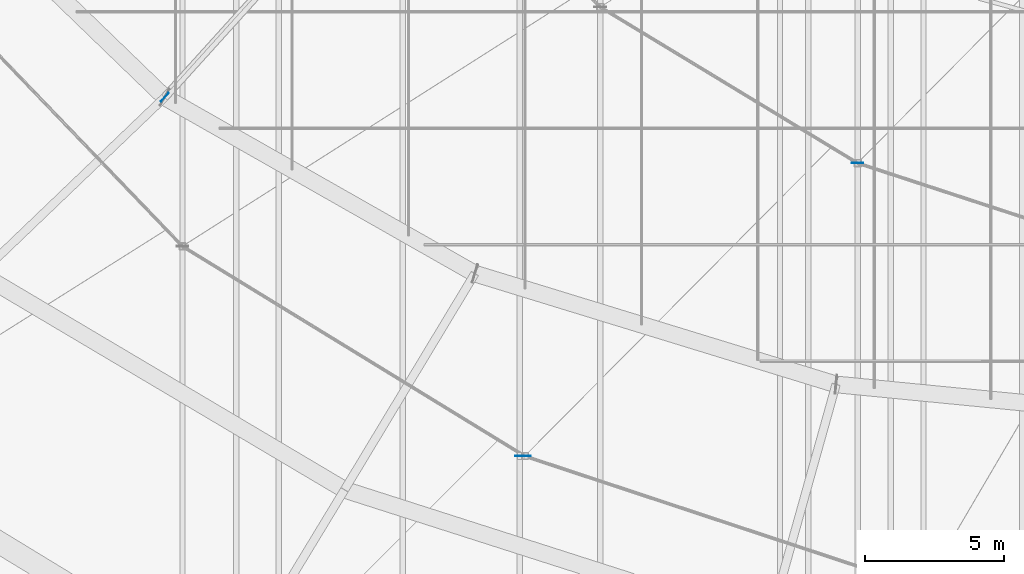
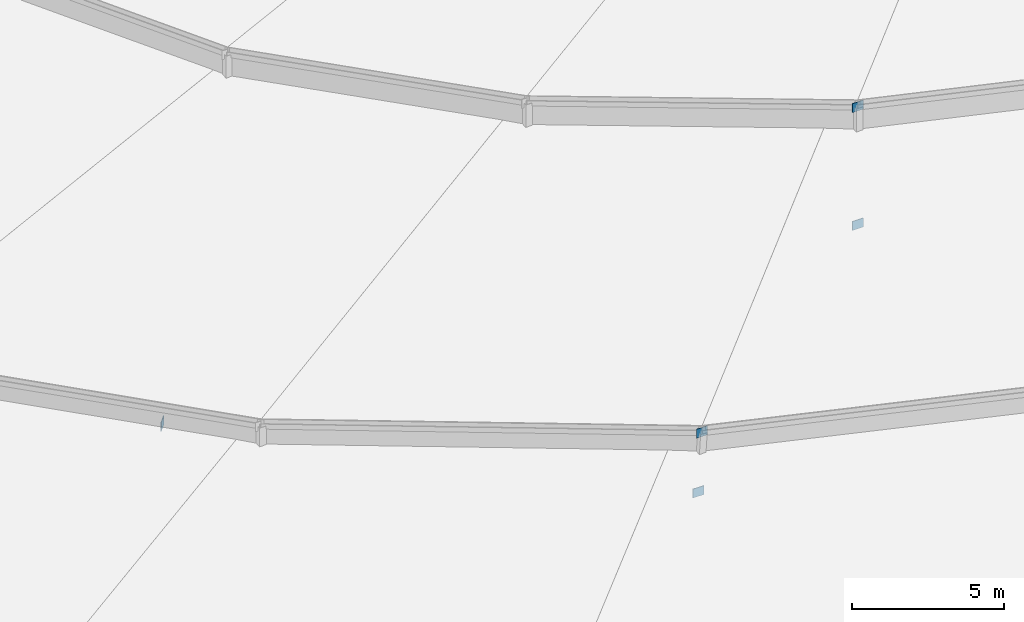
# One storey, part 160 of 184: 5 plates.
"""IFC4 building model written with IfcOpenShell, lengths in metres."""

from ifc_helpers import new_model, si_unit, direction, frame, origin, origin_2d, place, context, subcontext, project, spatial, rectangle, extrude, material, layer, layer_set, type_object, element, save


model = new_model("IFC4")

# Units and contexts
model_context = context("Model", 3, precision=1e-05, world=origin(), true_north=direction((0.0, 1.0)))
body_context = subcontext(model_context, "Body", "Model", "MODEL_VIEW")
ifc_project = project(units=[si_unit("LENGTHUNIT", "METRE"), si_unit("AREAUNIT", "SQUARE_METRE"), si_unit("VOLUMEUNIT", "CUBIC_METRE"), si_unit("PLANEANGLEUNIT", "RADIAN"), si_unit("MASSUNIT", "GRAM", prefix="KILO")], contexts=[model_context])

# Site, building, storey
site_placement = place(None, origin())
site = spatial("IfcSite", under=ifc_project, at=site_placement, CompositionType="ELEMENT")
building_placement = place(site_placement, origin())
building = spatial("IfcBuilding", under=site, at=building_placement, Name="Kalgoora Escarpment Arena", CompositionType="ELEMENT")
storey_placement = place(building_placement, frame((0.0, 0.0, 27.60009765625)))
storey = spatial("IfcBuildingStorey", under=building, at=storey_placement, Name="Roof Level", CompositionType="ELEMENT", Elevation=27.60009765625)

# Plates
ifc_material = material(Name="Structural steel Grade 350 (350 MPa)", Category="steel")
ifc_layer = layer(ifc_material, 0.02490234375)
ifc_layer_set = layer_set([ifc_layer], Name="PLT-GUSSET-25")
plate_type = type_object("IfcPlateType", Name="PLT-GUSSET-25", PredefinedType="USERDEFINED", material=ifc_layer_set)
for number, where, z_axis, x_axis, name in (
    (1, (54.21630859375, 35.7158203125, -1.88037109375), (0.0, 0.0, 1.0), (0.670426618959, 0.741975840976, 0.0), "Brace and post end gusset plate 122"),
    (2, (67.06005859375, 22.777099609375, -1.26025390625), (0.0, 0.0, 1.0), (1.0, 0.0, 0.0), "Brace and post end gusset plate 211"),
    (3, (67.199951171875, 22.777099609375, 1.0849609375), (0.0, 0.0, 1.0), (1.0, 0.0, 0.0), "Brace and post end gusset plate 212"),
    (4, (79.199951171875, 33.3427734375, -1.2001953125), (0.0, 0.0, 1.0), (1.0, 0.0, 0.0), "Brace and post end gusset plate 258"),
    (5, (79.199951171875, 33.3427734375, 3.52490234375), (0.0, 0.0, 1.0), (1.0, 0.0, 0.0), "Brace and post end gusset plate 259"),
):
    element("IfcPlate", number, at=place(storey_placement, frame(where, z_axis=z_axis, x_axis=x_axis)), inside=storey, type_object=plate_type, Name=name, ObjectType="FLANGE PLATE", PredefinedType="USERDEFINED", context=body_context, shape_type="SweptSolid", body=[
        extrude(rectangle(XDim=0.419921875, YDim=0.02490234375, at=origin_2d()), origin(), (0.0, 0.0, 1.0), 0.360107421875),
    ])

save(model, "model.ifc")
